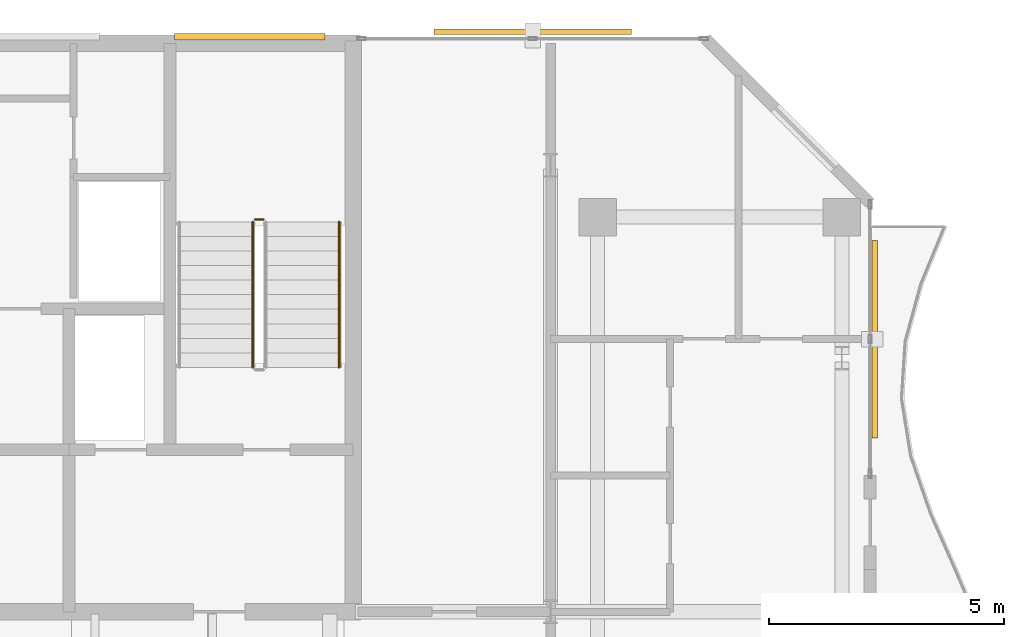
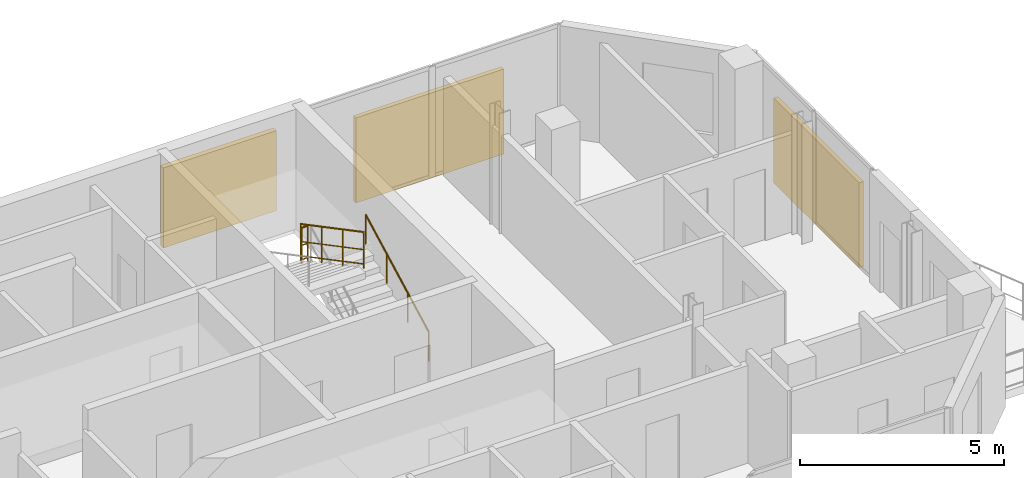
# One storey, part 24 of 24: 3 railings, 3 shading devices.
"""IFC4 building model written with IfcOpenShell, lengths in metres."""

from ifc_helpers import new_model, si_unit, direction, frame, origin, origin_2d, place, context, subcontext, project, spatial, rectangle, circle, extrude, material, type_object, element, save


model = new_model("IFC4")

# Units and contexts
model_context = context("Model", 3, precision=1e-05, world=origin(), true_north=direction((0.0, 1.0)))
body_context = subcontext(model_context, "Body", "Model", "MODEL_VIEW")
ifc_project = project(units=[si_unit("LENGTHUNIT", "METRE"), si_unit("AREAUNIT", "SQUARE_METRE"), si_unit("VOLUMEUNIT", "CUBIC_METRE"), si_unit("PLANEANGLEUNIT", "RADIAN"), si_unit("MASSUNIT", "GRAM", prefix="KILO")], contexts=[model_context])

# Site, building, storey
site_placement = place(None, origin())
site = spatial("IfcSite", under=ifc_project, at=site_placement, CompositionType="ELEMENT")
building_placement = place(site_placement, origin())
building = spatial("IfcBuilding", under=site, at=building_placement, Name="Catumbela Crestline Tower", CompositionType="ELEMENT")
storey_placement = place(building_placement, frame((0.0, 0.0, 157.8)))
storey = spatial("IfcBuildingStorey", under=building, at=storey_placement, Name="L40", CompositionType="ELEMENT", Elevation=157.8)

# Railings
ifc_material_1 = material(Name="Stainless steel EN 1.4401", Category="steel")
railing_type_1 = type_object("IfcRailingType", Name="RG-1100", PredefinedType="GUARDRAIL", material=ifc_material_1)
railing_1_placement = place(storey_placement, frame((38.09, 39.15, 1.8)))
element("IfcRailing", 1, at=railing_1_placement, inside=storey, type_object=railing_type_1, Name="L40 ST-02 stair guard 2", PredefinedType="GUARDRAIL", context=body_context, shape_type="SweptSolid", body=[
    extrude(circle(Radius=0.024, at=origin_2d()), frame((0.0, 0.0, 1.076), z_axis=(-1.0, 0.0, 0.0), x_axis=(0.0, -1.0, 0.0)), (0.0, 0.0, 1.0), 0.18),
    extrude(circle(Radius=0.0156, at=origin_2d()), frame((0.0, 0.0, 0.55), z_axis=(-1.0, 0.0, 0.0), x_axis=(0.0, -1.0, 0.0)), (0.0, 0.0, 1.0), 0.18),
    extrude(circle(Radius=0.0156, at=origin_2d()), frame((0.0, 0.0, 0.12), z_axis=(-1.0, 0.0, 0.0), x_axis=(0.0, -1.0, 0.0)), (0.0, 0.0, 1.0), 0.18),
    extrude(circle(Radius=0.021, at=origin_2d()), origin(), (0.0, 0.0, 1.0), 1.052),
    extrude(circle(Radius=0.021, at=origin_2d()), frame((-0.18, 0.0, 0.0)), (0.0, 0.0, 1.0), 1.052),
])
railing_2_placement = place(storey_placement, frame((37.86, 39.1, 1.9636)))
element("IfcRailing", 2, at=railing_2_placement, inside=storey, type_object=railing_type_1, Name="L40 ST-02 stair guard 3", PredefinedType="GUARDRAIL", context=body_context, shape_type="SweptSolid", body=[
    extrude(circle(Radius=0.024, at=origin_2d()), frame((0.0, 0.0, 1.076), z_axis=(0.0, -0.884350731049, 0.466823076222), x_axis=(1.0, 0.0, 0.0)), (0.0, 0.0, 1.0), 3.5054),
    extrude(circle(Radius=0.0156, at=origin_2d()), frame((0.0, 0.0, 0.55), z_axis=(0.0, -0.884350731049, 0.466823076222), x_axis=(1.0, 0.0, 0.0)), (0.0, 0.0, 1.0), 3.5054),
    extrude(circle(Radius=0.0156, at=origin_2d()), frame((0.0, 0.0, 0.12), z_axis=(0.0, -0.884350731049, 0.466823076222), x_axis=(1.0, 0.0, 0.0)), (0.0, 0.0, 1.0), 3.5054),
    extrude(circle(Radius=0.021, at=origin_2d()), origin(), (0.0, 0.0, 1.0), 1.052),
    extrude(circle(Radius=0.021, at=origin_2d()), frame((0.0, -1.0333, 0.5455)), (0.0, 0.0, 1.0), 1.052),
    extrude(circle(Radius=0.021, at=origin_2d()), frame((0.0, -2.0667, 1.0909)), (0.0, 0.0, 1.0), 1.052),
    extrude(circle(Radius=0.021, at=origin_2d()), frame((0.0, -3.1, 1.6364)), (0.0, 0.0, 1.0), 1.052),
])
railing_type_2 = type_object("IfcRailingType", Name="RH-0900", PredefinedType="HANDRAIL", material=ifc_material_1)
railing_3_placement = place(storey_placement, frame((39.7, 36.0, 0.1636)))
element("IfcRailing", 3, at=railing_3_placement, inside=storey, type_object=railing_type_2, Name="L40 ST-02 stair handrail 1", PredefinedType="HANDRAIL", context=body_context, shape_type="SweptSolid", body=[
    extrude(circle(Radius=0.024, at=origin_2d()), frame((0.0, 0.0, 0.876), z_axis=(0.0, 0.884350731049, 0.466823076222), x_axis=(-1.0, 0.0, 0.0)), (0.0, 0.0, 1.0), 3.5054),
    extrude(circle(Radius=0.021, at=origin_2d()), origin(), (0.0, 0.0, 1.0), 0.852),
    extrude(circle(Radius=0.021, at=origin_2d()), frame((0.0, 1.0333, 0.5455)), (0.0, 0.0, 1.0), 0.852),
    extrude(circle(Radius=0.021, at=origin_2d()), frame((0.0, 2.0667, 1.0909)), (0.0, 0.0, 1.0), 0.852),
    extrude(circle(Radius=0.021, at=origin_2d()), frame((0.0, 3.1, 1.6364)), (0.0, 0.0, 1.0), 0.852),
])

# Shading devices
ifc_material_2 = material(Name="Extruded terracotta ceramic", Category="masonry")
shading_device_type_1 = type_object("IfcShadingDeviceType", Name="ST-180", PredefinedType="USERDEFINED", material=ifc_material_2)
shading_device_1_placement = place(storey_placement, frame((51.099, 36.6, -0.1), z_axis=(0.0, 0.0, 1.0), x_axis=(0.0, 1.0, 0.0)))
element("IfcShadingDevice", 4, at=shading_device_1_placement, inside=storey, type_object=shading_device_type_1, Name="L40 Perforated Terracotta Solar Screen 438 (180 mm)", ObjectType="SCREEN", PredefinedType="USERDEFINED", context=body_context, shape_type="SweptSolid", body=[
    extrude(rectangle(XDim=4.2, YDim=0.12, at=origin_2d()), origin(), (0.0, 0.0, 1.0), 2.55),
])
shading_device_type_2 = type_object("IfcShadingDeviceType", Name="ST-260", PredefinedType="USERDEFINED", material=ifc_material_2)
shading_device_2_placement = place(storey_placement, frame((37.8, 43.04, 0.55), z_axis=(0.0, 0.0, 1.0), x_axis=(1.0, 0.0, 0.0)))
element("IfcShadingDevice", 5, at=shading_device_2_placement, inside=storey, type_object=shading_device_type_2, Name="L40 Rear Core Terracotta Brise-Soleil Screen 431", ObjectType="SCREEN", PredefinedType="USERDEFINED", context=body_context, shape_type="SweptSolid", body=[
    extrude(rectangle(XDim=3.2, YDim=0.14, at=origin_2d()), origin(), (0.0, 0.0, 1.0), 2.4),
])
shading_device_3_placement = place(storey_placement, frame((43.82, 43.143, -0.1), z_axis=(0.0, 0.0, 1.0), x_axis=(-1.0, 0.0, 0.0)))
element("IfcShadingDevice", 6, at=shading_device_3_placement, inside=storey, type_object=shading_device_type_2, Name="L40 Perforated Terracotta Solar Screen 439 (260 mm)", ObjectType="SCREEN", PredefinedType="USERDEFINED", context=body_context, shape_type="SweptSolid", body=[
    extrude(rectangle(XDim=4.2, YDim=0.12, at=origin_2d()), origin(), (0.0, 0.0, 1.0), 2.55),
])

save(model, "model.ifc")
